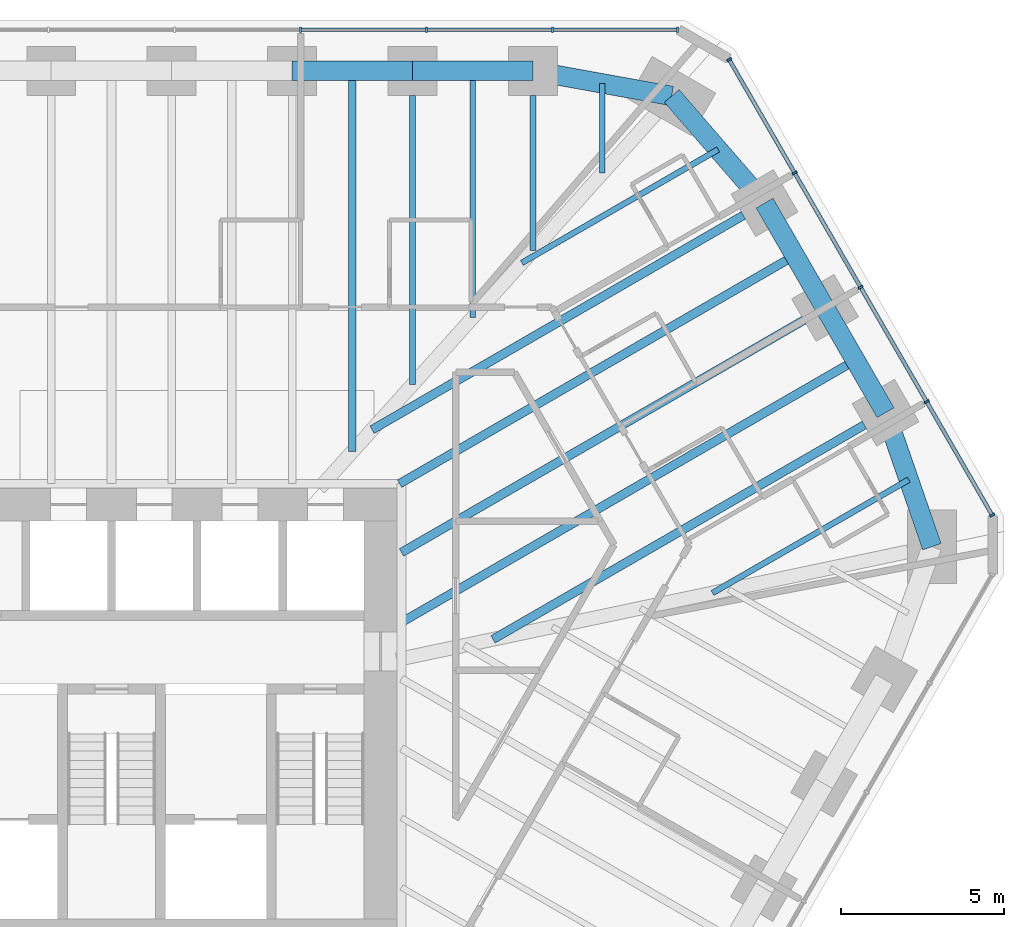
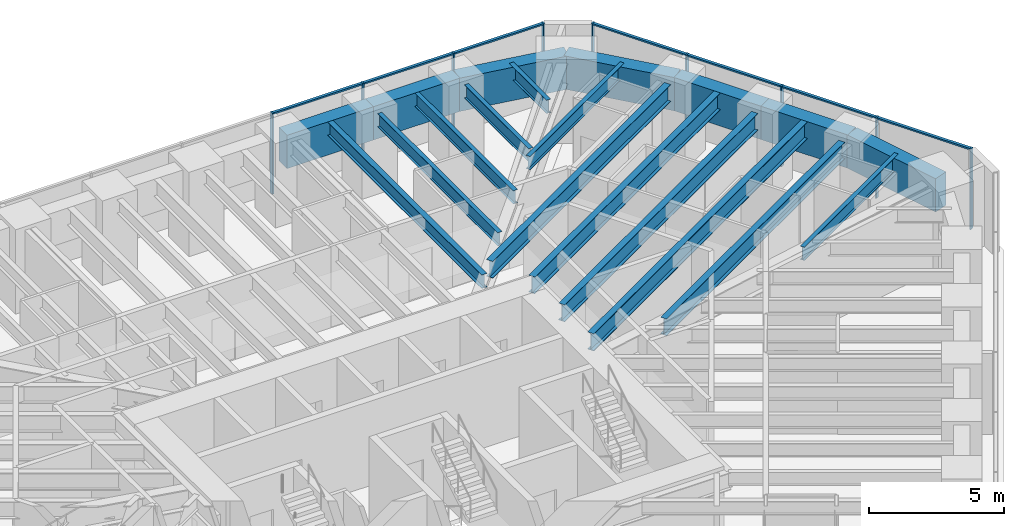
# One storey, part 9 of 17: 19 beams, 16 members, 2 elements without a shape of their own.
"""IFC4 building model written with IfcOpenShell, lengths in metres."""

from ifc_helpers import new_model, si_unit, direction, frame, origin, origin_2d, place, context, subcontext, project, spatial, rectangle, i_section, extrude, material, material_profile, profile_set, type_object, element, aggregate, save


model = new_model("IFC4")

# Units and contexts
model_context = context("Model", 3, precision=1e-05, world=origin(), true_north=direction((0.0, 1.0)))
body_context = subcontext(model_context, "Body", "Model", "MODEL_VIEW")
ifc_project = project(units=[si_unit("LENGTHUNIT", "METRE"), si_unit("AREAUNIT", "SQUARE_METRE"), si_unit("VOLUMEUNIT", "CUBIC_METRE"), si_unit("PLANEANGLEUNIT", "RADIAN"), si_unit("MASSUNIT", "GRAM", prefix="KILO")], contexts=[model_context])

# Site, building, storey
site_placement = place(None, origin())
site = spatial("IfcSite", under=ifc_project, at=site_placement, CompositionType="ELEMENT")
building_placement = place(site_placement, origin())
building = spatial("IfcBuilding", under=site, at=building_placement, Name="Sandreach Pilgrim Tower", CompositionType="ELEMENT")
storey_placement = place(building_placement, frame((0.0, 0.0, 221.199951171875)))
storey = spatial("IfcBuildingStorey", under=building, at=storey_placement, Name="L55", CompositionType="ELEMENT", Elevation=221.199951171875)

# Curtain wall, members
ifc_material_1 = material(Name="Aluminium framed curtain wall", Category="aluminium")
curtain_wall_type = type_object("IfcCurtainWallType", Name="Upper hotel tower curtain wall", PredefinedType="NOTDEFINED", material=ifc_material_1)
curtain_wall_1_placement = place(storey_placement, origin())
curtain_wall_1 = element("IfcCurtainWall", 1, at=curtain_wall_1_placement, inside=storey, type_object=curtain_wall_type, Name="CW-3 L55 N", PredefinedType="NOTDEFINED")
ifc_material_2 = material(Name="Aluminium extrusion", Category="aluminium")
ifc_material_profile_1 = material_profile(ifc_material_2, rectangle(XDim=0.06494140625, YDim=0.159912109375, at=origin_2d()), Name="CW-3M 65X160")
ifc_profile_set_1 = profile_set([ifc_material_profile_1], Name="Aluminium extrusion")
member_type_1 = type_object("IfcMemberType", Name="CW-3 mullion", PredefinedType="MULLION", material=ifc_profile_set_1)
member_1_placement = place(storey_placement, frame((5.796630859375, 21.16015625, 0.0), z_axis=(0.0, 0.0, 1.0), x_axis=(1.0, 0.0, 0.0)))
member_1 = element("IfcMember", 2, at=member_1_placement, type_object=member_type_1, Name="CW-3 mullion 7", PredefinedType="MULLION", context=body_context, shape_type="SweptSolid", body=[
    extrude(rectangle(XDim=0.06494140625, YDim=0.159912109375, at=origin_2d()), origin(), (0.0, 0.0, 1.0), 3.64013671875),
])
member_2_placement = place(storey_placement, frame((9.6611328125, 21.16015625, 0.0), z_axis=(0.0, 0.0, 1.0), x_axis=(1.0, 0.0, 0.0)))
member_2 = element("IfcMember", 3, at=member_2_placement, type_object=member_type_1, Name="CW-3 mullion 8", PredefinedType="MULLION", context=body_context, shape_type="SweptSolid", body=[
    extrude(rectangle(XDim=0.06494140625, YDim=0.159912109375, at=origin_2d()), origin(), (0.0, 0.0, 1.0), 3.64013671875),
])
member_3_placement = place(storey_placement, frame((13.525390625, 21.16015625, 0.0), z_axis=(0.0, 0.0, 1.0), x_axis=(1.0, 0.0, 0.0)))
member_3 = element("IfcMember", 4, at=member_3_placement, type_object=member_type_1, Name="CW-3 mullion 9", PredefinedType="MULLION", context=body_context, shape_type="SweptSolid", body=[
    extrude(rectangle(XDim=0.06494140625, YDim=0.159912109375, at=origin_2d()), origin(), (0.0, 0.0, 1.0), 3.64013671875),
])
member_4_placement = place(storey_placement, frame((17.357421875, 21.16015625, 0.0), z_axis=(0.0, 0.0, 1.0), x_axis=(1.0, 0.0, 0.0)))
member_4 = element("IfcMember", 5, at=member_4_placement, type_object=member_type_1, Name="CW-3 mullion 10", PredefinedType="MULLION", context=body_context, shape_type="SweptSolid", body=[
    extrude(rectangle(XDim=0.06494140625, YDim=0.159912109375, at=origin_2d()), origin(), (0.0, 0.0, 1.0), 3.64013671875),
])

curtain_wall_2_placement = place(storey_placement, origin())
curtain_wall_2 = element("IfcCurtainWall", 6, at=curtain_wall_2_placement, inside=storey, type_object=curtain_wall_type, Name="CW-3 L55 NE", PredefinedType="NOTDEFINED")
member_5_placement = place(storey_placement, frame((18.93896484375, 20.2470703125, 0.0), z_axis=(0.0, 0.0, 1.0), x_axis=(0.5, -0.866025403784, 0.0)))
member_5 = element("IfcMember", 7, at=member_5_placement, type_object=member_type_1, Name="CW-3 mullion 1", PredefinedType="MULLION", context=body_context, shape_type="SweptSolid", body=[
    extrude(rectangle(XDim=0.06494140625, YDim=0.159912109375, at=origin_2d()), origin(), (0.0, 0.0, 1.0), 3.64013671875),
])
member_6_placement = place(storey_placement, frame((20.947021484375, 16.768798828125, 0.0), z_axis=(0.0, 0.0, 1.0), x_axis=(0.5, -0.866025403784, 0.0)))
member_6 = element("IfcMember", 8, at=member_6_placement, type_object=member_type_1, Name="CW-3 mullion 2", PredefinedType="MULLION", context=body_context, shape_type="SweptSolid", body=[
    extrude(rectangle(XDim=0.06494140625, YDim=0.159912109375, at=origin_2d()), origin(), (0.0, 0.0, 1.0), 3.64013671875),
])
member_7_placement = place(storey_placement, frame((22.971435546875, 13.262451171875, 0.0), z_axis=(0.0, 0.0, 1.0), x_axis=(0.5, -0.866025403784, 0.0)))
member_7 = element("IfcMember", 9, at=member_7_placement, type_object=member_type_1, Name="CW-3 mullion 3", PredefinedType="MULLION", context=body_context, shape_type="SweptSolid", body=[
    extrude(rectangle(XDim=0.06494140625, YDim=0.159912109375, at=origin_2d()), origin(), (0.0, 0.0, 1.0), 3.64013671875),
])
member_8_placement = place(storey_placement, frame((24.995849609375, 9.75634765625, 0.0), z_axis=(0.0, 0.0, 1.0), x_axis=(0.5, -0.866025403784, 0.0)))
member_8 = element("IfcMember", 10, at=member_8_placement, type_object=member_type_1, Name="CW-3 mullion 4", PredefinedType="MULLION", context=body_context, shape_type="SweptSolid", body=[
    extrude(rectangle(XDim=0.06494140625, YDim=0.159912109375, at=origin_2d()), origin(), (0.0, 0.0, 1.0), 3.64013671875),
])
member_9_placement = place(storey_placement, frame((27.00390625, 6.278076171875, 0.0), z_axis=(0.0, 0.0, 1.0), x_axis=(0.5, -0.866025403784, 0.0)))
member_9 = element("IfcMember", 11, at=member_9_placement, type_object=member_type_1, Name="CW-3 mullion 5", PredefinedType="MULLION", context=body_context, shape_type="SweptSolid", body=[
    extrude(rectangle(XDim=0.06494140625, YDim=0.159912109375, at=origin_2d()), origin(), (0.0, 0.0, 1.0), 3.64013671875),
])

# Member
ifc_material_3 = material(Name="Aluminium extrusion", Category="aluminium")
ifc_material_profile_2 = material_profile(ifc_material_3, rectangle(XDim=0.1201171875, YDim=0.070068359375, at=origin_2d()), Name="CW-3T 120X70")
ifc_profile_set_2 = profile_set([ifc_material_profile_2], Name="Aluminium extrusion")
member_type_2 = type_object("IfcMemberType", Name="CW-3 transom", PredefinedType="USERDEFINED", material=ifc_profile_set_2)
member_10_placement = place(storey_placement, frame((5.8291015625, 21.16015625, 3.60498046875), z_axis=(1.0, 0.0, 0.0), x_axis=(0.0, 1.0, 0.0)))
member_10 = element("IfcMember", 12, at=member_10_placement, type_object=member_type_2, Name="CW-3 head transom 7", ObjectType="TRANSOM", PredefinedType="USERDEFINED", context=body_context, shape_type="SweptSolid", body=[
    extrude(rectangle(XDim=0.1201171875, YDim=0.070068359375, at=origin_2d()), origin(), (0.0, 0.0, 1.0), 3.799560546875),
])

member_11_placement = place(storey_placement, frame((9.693603515625, 21.16015625, 3.60498046875), z_axis=(1.0, 0.0, 0.0), x_axis=(0.0, 1.0, 0.0)))
member_11 = element("IfcMember", 13, at=member_11_placement, type_object=member_type_2, Name="CW-3 head transom 8", ObjectType="TRANSOM", PredefinedType="USERDEFINED", context=body_context, shape_type="SweptSolid", body=[
    extrude(rectangle(XDim=0.1201171875, YDim=0.070068359375, at=origin_2d()), origin(), (0.0, 0.0, 1.0), 3.79931640625),
])

member_12_placement = place(storey_placement, frame((13.557861328125, 21.16015625, 3.60498046875), z_axis=(1.0, 0.0, 0.0), x_axis=(0.0, 1.0, 0.0)))
member_12 = element("IfcMember", 14, at=member_12_placement, type_object=member_type_2, Name="CW-3 head transom 9", ObjectType="TRANSOM", PredefinedType="USERDEFINED", context=body_context, shape_type="SweptSolid", body=[
    extrude(rectangle(XDim=0.1201171875, YDim=0.070068359375, at=origin_2d()), origin(), (0.0, 0.0, 1.0), 3.76708984375),
])

aggregate(curtain_wall_1, [member_1, member_2, member_3, member_4, member_10, member_11, member_12])

member_13_placement = place(storey_placement, frame((18.955322265625, 20.21875, 3.60498046875), z_axis=(0.499993448556, -0.866029186229, 0.0), x_axis=(0.866029186229, 0.499993448556, 0.0)))
member_13 = element("IfcMember", 15, at=member_13_placement, type_object=member_type_2, Name="CW-3 head transom 1", ObjectType="TRANSOM", PredefinedType="USERDEFINED", context=body_context, shape_type="SweptSolid", body=[
    extrude(rectangle(XDim=0.1201171875, YDim=0.070068359375, at=origin_2d()), origin(), (0.0, 0.0, 1.0), 3.951171875),
])

member_14_placement = place(storey_placement, frame((20.96337890625, 16.74072265625, 3.60498046875), z_axis=(0.499975332564, -0.866039645067, 0.0), x_axis=(0.866039645067, 0.499975332564, 0.0)))
member_14 = element("IfcMember", 16, at=member_14_placement, type_object=member_type_2, Name="CW-3 head transom 2", ObjectType="TRANSOM", PredefinedType="USERDEFINED", context=body_context, shape_type="SweptSolid", body=[
    extrude(rectangle(XDim=0.1201171875, YDim=0.070068359375, at=origin_2d()), origin(), (0.0, 0.0, 1.0), 3.983642578125),
])

member_15_placement = place(storey_placement, frame((22.98779296875, 13.234375, 3.60498046875), z_axis=(0.499975332564, -0.866039645067, 0.0), x_axis=(0.866039645067, 0.499975332564, 0.0)))
member_15 = element("IfcMember", 17, at=member_15_placement, type_object=member_type_2, Name="CW-3 head transom 3", ObjectType="TRANSOM", PredefinedType="USERDEFINED", context=body_context, shape_type="SweptSolid", body=[
    extrude(rectangle(XDim=0.1201171875, YDim=0.070068359375, at=origin_2d()), origin(), (0.0, 0.0, 1.0), 3.983642578125),
])

member_16_placement = place(storey_placement, frame((25.011962890625, 9.728271484375, 3.60498046875), z_axis=(0.499993448556, -0.866029186229, 0.0), x_axis=(0.866029186229, 0.499993448556, 0.0)))
member_16 = element("IfcMember", 18, at=member_16_placement, type_object=member_type_2, Name="CW-3 head transom 4", ObjectType="TRANSOM", PredefinedType="USERDEFINED", context=body_context, shape_type="SweptSolid", body=[
    extrude(rectangle(XDim=0.1201171875, YDim=0.070068359375, at=origin_2d()), origin(), (0.0, 0.0, 1.0), 3.951171875),
])

aggregate(curtain_wall_2, [member_5, member_6, member_7, member_8, member_9, member_13, member_14, member_15, member_16])

# Beams
ifc_material_4 = material(Name="Steel ASTM A992 Grade 50", Category="steel")
ifc_material_profile_3 = material_profile(ifc_material_4, i_section(OverallWidth=0.1787109375, OverallDepth=0.60205078125, WebThickness=0.010986328125, FlangeThickness=0.014892578125, at=origin_2d()), Name="W24X62")
ifc_profile_set_3 = profile_set([ifc_material_profile_3], Name="Steel ASTM A992 Grade 50")
beam_type_1 = type_object("IfcBeamType", Name="Floor beam W24X62", PredefinedType="BEAM", material=ifc_profile_set_3)
beam_1_placement = place(storey_placement, frame((9.231201171875, 19.150146484375, 3.339111328125), z_axis=(0.0, -1.0, 0.0), x_axis=(1.0, 0.0, 0.0)))
element("IfcBeam", 19, at=beam_1_placement, inside=storey, type_object=beam_type_1, Name="BM L55 F07", PredefinedType="BEAM", context=body_context, shape_type="SweptSolid", body=[
    extrude(i_section(OverallWidth=0.1787109375, OverallDepth=0.60205078125, WebThickness=0.010986328125, FlangeThickness=0.014892578125, at=origin_2d()), origin(), (0.0, 0.0, 1.0), 8.86962890625),
])
beam_2_placement = place(storey_placement, frame((12.923828125, 19.150146484375, 3.339111328125), z_axis=(0.0, -1.0, 0.0), x_axis=(1.0, 0.0, 0.0)))
element("IfcBeam", 20, at=beam_2_placement, inside=storey, type_object=beam_type_1, Name="BM L55 F08", PredefinedType="BEAM", context=body_context, shape_type="SweptSolid", body=[
    extrude(i_section(OverallWidth=0.1787109375, OverallDepth=0.60205078125, WebThickness=0.010986328125, FlangeThickness=0.014892578125, at=origin_2d()), origin(), (0.0, 0.0, 1.0), 4.757568359375),
])
beam_3_placement = place(storey_placement, frame((11.077392578125, 19.900146484375, 3.339111328125), z_axis=(0.0, -1.0, 0.0), x_axis=(1.0, 0.0, 0.0)))
element("IfcBeam", 21, at=beam_3_placement, inside=storey, type_object=beam_type_1, Name="BM L55 FM07", PredefinedType="BEAM", context=body_context, shape_type="SweptSolid", body=[
    extrude(i_section(OverallWidth=0.1787109375, OverallDepth=0.60205078125, WebThickness=0.010986328125, FlangeThickness=0.014892578125, at=origin_2d()), origin(), (0.0, 0.0, 1.0), 7.563720703125),
])
beam_4_placement = place(storey_placement, frame((15.05078125, 19.515380859375, 3.339111328125), z_axis=(0.0, -1.0, 0.0), x_axis=(1.0, 0.0, 0.0)))
element("IfcBeam", 22, at=beam_4_placement, inside=storey, type_object=beam_type_1, Name="BM L55 FM08", PredefinedType="BEAM", context=body_context, shape_type="SweptSolid", body=[
    extrude(i_section(OverallWidth=0.1787109375, OverallDepth=0.60205078125, WebThickness=0.010986328125, FlangeThickness=0.014892578125, at=origin_2d()), origin(), (0.0, 0.0, 1.0), 2.75390625),
])
for number, where, z_axis, x_axis, name in (
    (23, (18.6015625, 17.48828125, 3.339111328125), (-0.866029381593, -0.499993110171, 0.0), (0.499993110171, -0.866029381593, 0.0), "BM L55 FM09"),
    (24, (24.446044921875, 7.365234375, 3.339111328125), (-0.866029381593, -0.499993110171, 0.0), (0.499993110171, -0.866029381593, 0.0), "BM L55 FM12"),
):
    element("IfcBeam", number, at=place(storey_placement, frame(where, z_axis=z_axis, x_axis=x_axis)), inside=storey, type_object=beam_type_1, Name=name, PredefinedType="BEAM", context=body_context, shape_type="SweptSolid", body=[
        extrude(i_section(OverallWidth=0.1787109375, OverallDepth=0.60205078125, WebThickness=0.010986328125, FlangeThickness=0.014892578125, at=origin_2d()), origin(), (0.0, 0.0, 1.0), 6.94921875),
    ])
ifc_material_5 = material(Name="Steel ASTM A992 Grade 50", Category="steel")
ifc_material_profile_4 = material_profile(ifc_material_5, i_section(OverallWidth=0.23046875, OverallDepth=0.6171875, WebThickness=0.01318359375, FlangeThickness=0.022216796875, at=origin_2d()), Name="W24X94")
ifc_profile_set_4 = profile_set([ifc_material_profile_4], Name="Steel ASTM A992 Grade 50")
beam_type_2 = type_object("IfcBeamType", Name="Floor beam W24X94", PredefinedType="BEAM", material=ifc_profile_set_4)
beam_5_placement = place(storey_placement, frame((7.385009765625, 19.900146484375, 3.33154296875), z_axis=(0.0, -1.0, 0.0), x_axis=(1.0, 0.0, 0.0)))
element("IfcBeam", 25, at=beam_5_placement, inside=storey, type_object=beam_type_2, Name="BM L55 FM06", PredefinedType="BEAM", context=body_context, shape_type="SweptSolid", body=[
    extrude(i_section(OverallWidth=0.23046875, OverallDepth=0.6171875, WebThickness=0.01318359375, FlangeThickness=0.022216796875, at=origin_2d()), origin(), (0.0, 0.0, 1.0), 11.67578125),
])
ifc_material_6 = material(Name="Steel ASTM A992 Grade 50", Category="steel")
ifc_material_profile_5 = material_profile(ifc_material_6, i_section(OverallWidth=0.2666015625, OverallDepth=0.761962890625, WebThickness=0.014404296875, FlangeThickness=0.021484375, at=origin_2d()), Name="W30X116")
ifc_profile_set_5 = profile_set([ifc_material_profile_5], Name="Steel ASTM A992 Grade 50")
beam_type_3 = type_object("IfcBeamType", Name="Floor beam W30X116", PredefinedType="BEAM", material=ifc_profile_set_5)
beam_6_placement = place(storey_placement, frame((19.37548828125, 15.470947265625, 3.259033203125), z_axis=(-0.866022320763, -0.500005339912, 0.0), x_axis=(0.500005339912, -0.866022320763, 0.0)))
element("IfcBeam", 26, at=beam_6_placement, inside=storey, type_object=beam_type_3, Name="BM L55 F10", PredefinedType="BEAM", context=body_context, shape_type="SweptSolid", body=[
    extrude(i_section(OverallWidth=0.2666015625, OverallDepth=0.761962890625, WebThickness=0.014404296875, FlangeThickness=0.021484375, at=origin_2d()), origin(), (0.0, 0.0, 1.0), 13.148193359375),
])
beam_7_placement = place(storey_placement, frame((21.230712890625, 12.257568359375, 3.259033203125), z_axis=(-0.866024056942, -0.500002332792, 0.0), x_axis=(0.500002332792, -0.866024056942, 0.0)))
element("IfcBeam", 27, at=beam_7_placement, inside=storey, type_object=beam_type_3, Name="BM L55 F11", PredefinedType="BEAM", context=body_context, shape_type="SweptSolid", body=[
    extrude(i_section(OverallWidth=0.2666015625, OverallDepth=0.761962890625, WebThickness=0.014404296875, FlangeThickness=0.021484375, at=origin_2d()), origin(), (0.0, 0.0, 1.0), 14.24609375),
])
beam_8_placement = place(storey_placement, frame((23.0859375, 9.044189453125, 3.259033203125), z_axis=(-0.866026962808, -0.499997299682, 0.0), x_axis=(0.499997299682, -0.866026962808, 0.0)))
element("IfcBeam", 28, at=beam_8_placement, inside=storey, type_object=beam_type_3, Name="BM L55 F12", PredefinedType="BEAM", context=body_context, shape_type="SweptSolid", body=[
    extrude(i_section(OverallWidth=0.2666015625, OverallDepth=0.761962890625, WebThickness=0.014404296875, FlangeThickness=0.021484375, at=origin_2d()), origin(), (0.0, 0.0, 1.0), 13.1484375),
])
beam_9_placement = place(storey_placement, frame((20.95263671875, 14.2392578125, 3.259033203125), z_axis=(-0.866025770688, -0.499999364504, 0.0), x_axis=(0.499999364504, -0.866025770688, 0.0)))
element("IfcBeam", 29, at=beam_9_placement, inside=storey, type_object=beam_type_3, Name="BM L55 FM10", PredefinedType="BEAM", context=body_context, shape_type="SweptSolid", body=[
    extrude(i_section(OverallWidth=0.2666015625, OverallDepth=0.761962890625, WebThickness=0.014404296875, FlangeThickness=0.021484375, at=origin_2d()), origin(), (0.0, 0.0, 1.0), 13.99169921875),
])
ifc_material_7 = material(Name="Steel ASTM A992 Grade 50", Category="steel")
ifc_material_profile_6 = material_profile(ifc_material_7, i_section(OverallWidth=0.2666015625, OverallDepth=0.77978515625, WebThickness=0.0166015625, FlangeThickness=0.030029296875, at=origin_2d()), Name="W30X148")
ifc_profile_set_6 = profile_set([ifc_material_profile_6], Name="Steel ASTM A992 Grade 50")
beam_type_4 = type_object("IfcBeamType", Name="Floor beam W30X148", PredefinedType="BEAM", material=ifc_profile_set_6)
beam_10_placement = place(storey_placement, frame((22.807861328125, 11.02587890625, 3.250244140625), z_axis=(-0.866028701771, -0.499994287676, 0.0), x_axis=(0.499994287676, -0.866028701771, 0.0)))
element("IfcBeam", 30, at=beam_10_placement, inside=storey, type_object=beam_type_4, Name="BM L55 FM11", PredefinedType="BEAM", context=body_context, shape_type="SweptSolid", body=[
    extrude(i_section(OverallWidth=0.2666015625, OverallDepth=0.77978515625, WebThickness=0.0166015625, FlangeThickness=0.030029296875, at=origin_2d()), origin(), (0.0, 0.0, 1.0), 16.067138671875),
])
ifc_material_8 = material(Name="Concrete 10000 psi", Category="concrete")
ifc_material_profile_7 = material_profile(ifc_material_8, rectangle(XDim=0.60009765625, YDim=1.5, at=origin_2d()), Name="RC600X1500")
ifc_profile_set_7 = profile_set([ifc_material_profile_7], Name="Concrete 10000 psi")
beam_type_5 = type_object("IfcBeamType", Name="Spandrel beam RC600X1500", PredefinedType="SPANDREL", material=ifc_profile_set_7)
beam_11_placement = place(storey_placement, frame((5.538818359375, 19.900146484375, 2.89013671875), z_axis=(1.0, 0.0, 0.0), x_axis=(0.0, 1.0, 0.0)))
element("IfcBeam", 31, at=beam_11_placement, inside=storey, type_object=beam_type_5, Name="BM L55 SP06", PredefinedType="SPANDREL", context=body_context, shape_type="SweptSolid", body=[
    extrude(rectangle(XDim=0.60009765625, YDim=1.5, at=origin_2d()), origin(), (0.0, 0.0, 1.0), 3.6923828125),
])
beam_12_placement = place(storey_placement, frame((9.231201171875, 19.900146484375, 2.89013671875), z_axis=(1.0, 0.0, 0.0), x_axis=(0.0, 1.0, 0.0)))
element("IfcBeam", 32, at=beam_12_placement, inside=storey, type_object=beam_type_5, Name="BM L55 SP07", PredefinedType="SPANDREL", context=body_context, shape_type="SweptSolid", body=[
    extrude(rectangle(XDim=0.60009765625, YDim=1.5, at=origin_2d()), origin(), (0.0, 0.0, 1.0), 3.692626953125),
])
beam_13_placement = place(storey_placement, frame((12.923828125, 19.900146484375, 2.89013671875), z_axis=(0.984030345637, -0.178000783326, 0.0), x_axis=(0.178000783326, 0.984030345637, 0.0)))
element("IfcBeam", 33, at=beam_13_placement, inside=storey, type_object=beam_type_5, Name="BM L55 SP08", PredefinedType="SPANDREL", context=body_context, shape_type="SweptSolid", body=[
    extrude(rectangle(XDim=0.60009765625, YDim=1.5, at=origin_2d()), origin(), (0.0, 0.0, 1.0), 4.3232421875),
])
beam_14_placement = place(storey_placement, frame((17.177978515625, 19.130615234375, 2.89013671875), z_axis=(0.65499040715, -0.755637192402, 0.0), x_axis=(0.755637192402, 0.65499040715, 0.0)))
element("IfcBeam", 34, at=beam_14_placement, inside=storey, type_object=beam_type_5, Name="BM L55 SP09", PredefinedType="SPANDREL", context=body_context, shape_type="SweptSolid", body=[
    extrude(rectangle(XDim=0.60009765625, YDim=1.5, at=origin_2d()), origin(), (0.0, 0.0, 1.0), 4.346923828125),
])
for number, where, z_axis, x_axis, name in (
    (35, (20.025146484375, 15.845947265625, 2.89013671875), (0.499995842751, -0.86602780396, 0.0), (0.86602780396, 0.499995842751, 0.0), "BM L55 SP10"),
    (36, (21.88037109375, 12.632568359375, 2.89013671875), (0.499946491854, -0.866056294523, 0.0), (0.866056294523, 0.499946491854, 0.0), "BM L55 SP11"),
):
    element("IfcBeam", number, at=place(storey_placement, frame(where, z_axis=z_axis, x_axis=x_axis)), inside=storey, type_object=beam_type_5, Name=name, PredefinedType="SPANDREL", context=body_context, shape_type="SweptSolid", body=[
        extrude(rectangle(XDim=0.60009765625, YDim=1.5, at=origin_2d()), origin(), (0.0, 0.0, 1.0), 3.71044921875),
    ])
beam_15_placement = place(storey_placement, frame((23.7353515625, 9.419189453125, 2.89013671875), z_axis=(0.326940800053, -0.945044820768, 0.0), x_axis=(0.945044820768, 0.326940800053, 0.0)))
element("IfcBeam", 37, at=beam_15_placement, inside=storey, type_object=beam_type_5, Name="BM L55 SP12", PredefinedType="SPANDREL", context=body_context, shape_type="SweptSolid", body=[
    extrude(rectangle(XDim=0.60009765625, YDim=1.5, at=origin_2d()), origin(), (0.0, 0.0, 1.0), 4.3466796875),
])

save(model, "model.ifc")
